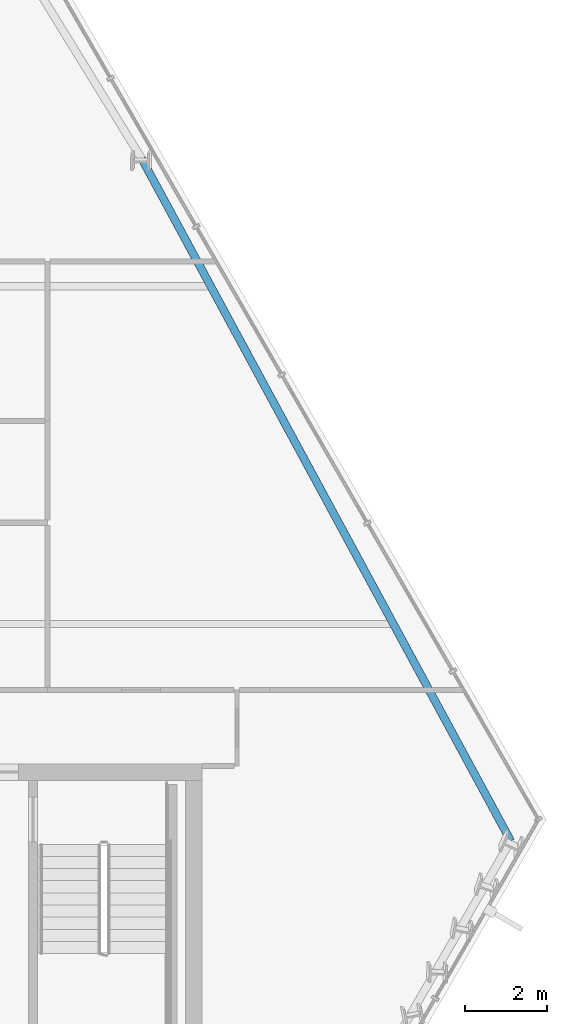
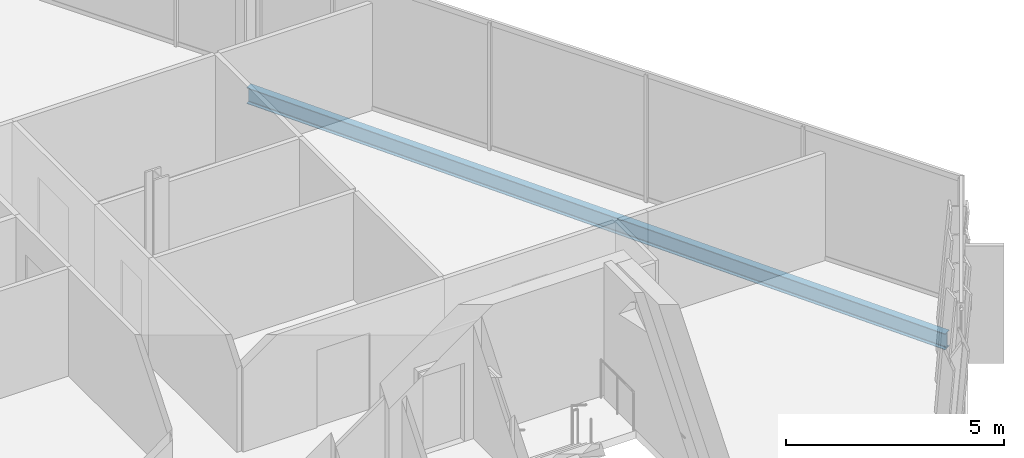
# One storey, part 18 of 35: 1 beam.
"""IFC4 building model written with IfcOpenShell, lengths in metres."""

from ifc_helpers import new_model, si_unit, direction, frame, origin, origin_2d, place, context, subcontext, project, spatial, i_section, extrude, material, material_profile, profile_set, type_object, element, save


model = new_model("IFC4")

# Units and contexts
model_context = context("Model", 3, precision=1e-05, world=origin(), true_north=direction((0.0, 1.0)))
body_context = subcontext(model_context, "Body", "Model", "MODEL_VIEW")
ifc_project = project(units=[si_unit("LENGTHUNIT", "METRE"), si_unit("AREAUNIT", "SQUARE_METRE"), si_unit("VOLUMEUNIT", "CUBIC_METRE"), si_unit("PLANEANGLEUNIT", "RADIAN"), si_unit("MASSUNIT", "GRAM", prefix="KILO")], contexts=[model_context])

# Site, building, storey
site_placement = place(None, origin())
site = spatial("IfcSite", under=ifc_project, at=site_placement, CompositionType="ELEMENT")
building_placement = place(site_placement, origin())
building = spatial("IfcBuilding", under=site, at=building_placement, Name="Ndaravel Arena Tower", CompositionType="ELEMENT")
storey_placement = place(building_placement, frame((0.0, 0.0, 180.199951171875)))
storey = spatial("IfcBuildingStorey", under=building, at=storey_placement, Name="L43", CompositionType="ELEMENT", Elevation=180.199951171875)

# Beam
ifc_material = material(Name="Steel S355", Category="steel")
ifc_material_profile = material_profile(ifc_material, i_section(OverallWidth=0.18994140625, OverallDepth=0.449951171875, WebThickness=0.009521484375, FlangeThickness=0.0146484375, FilletRadius=0.02099609375, at=origin_2d()), Name="IPE 450")
ifc_profile_set = profile_set([ifc_material_profile], Name="Steel S355")
beam_type = type_object("IfcBeamType", Name="BM-SPAN-IPE450", PredefinedType="SPANDREL", material=ifc_profile_set)
beam_placement = place(storey_placement, frame((65.050537109375, 13.32958984375, -0.445068359375), z_axis=(-0.475732906859, 0.879589791512, 0.0), x_axis=(-0.879589791512, -0.475732906859, 0.0)))
element("IfcBeam", 1, at=beam_placement, inside=storey, type_object=beam_type, Name="L43 Perimeter Spandrel Beam SP-09", PredefinedType="SPANDREL", context=body_context, shape_type="SweptSolid", body=[
    extrude(i_section(OverallWidth=0.18994140625, OverallDepth=0.449951171875, WebThickness=0.009521484375, FlangeThickness=0.0146484375, FilletRadius=0.02099609375, at=origin_2d()), origin(), (0.0, 0.0, 1.0), 18.827880859375),
])

save(model, "model.ifc")
